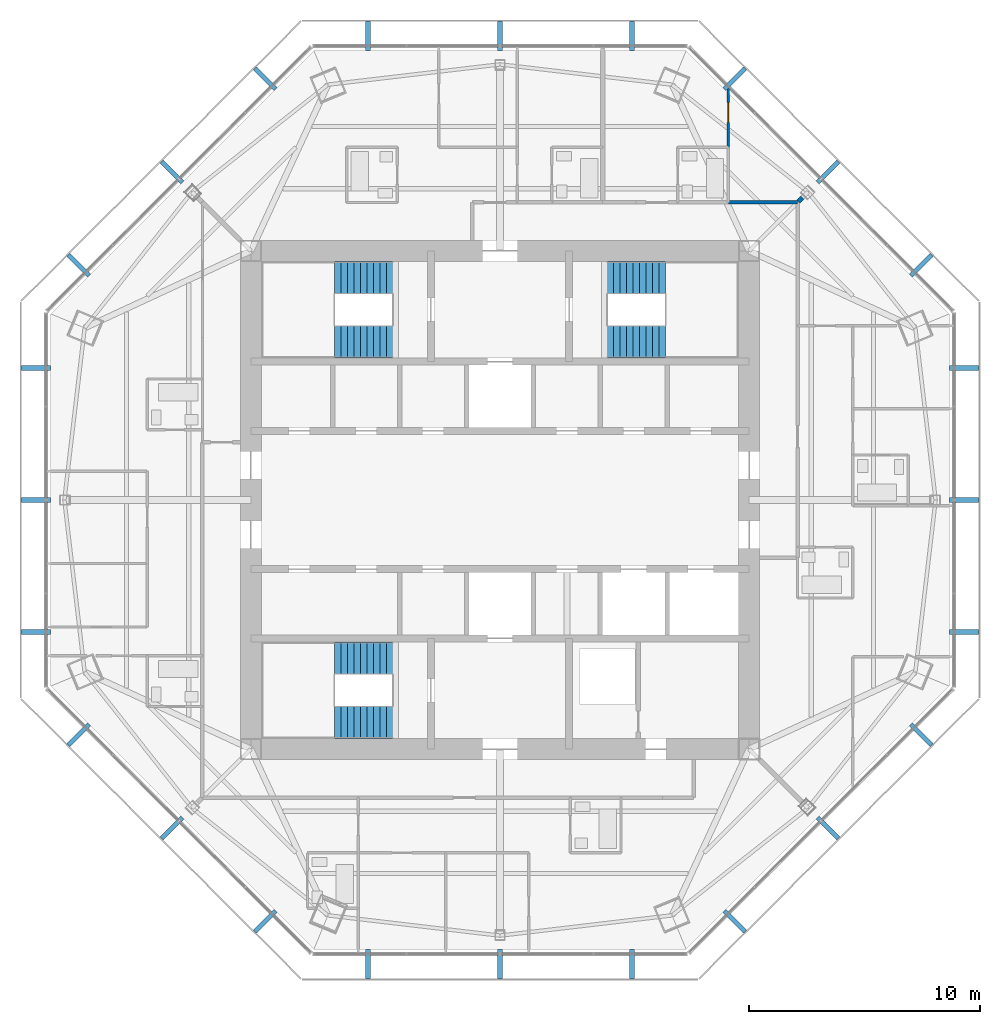
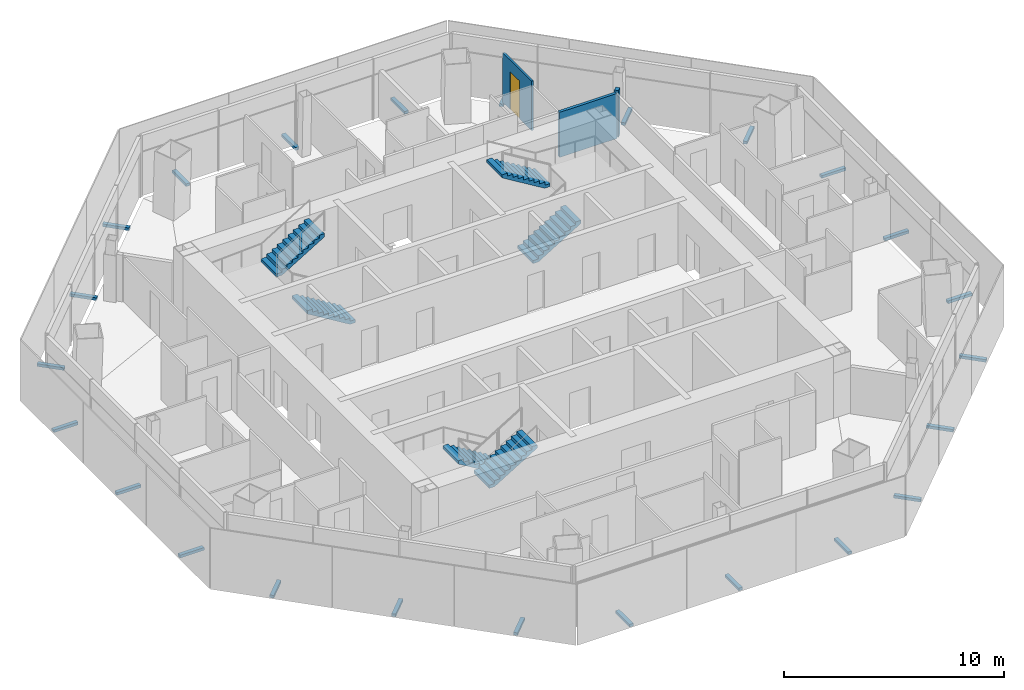
# One storey, part 12 of 15: 24 discrete accessories, 6 stair flights, 3 walls, 1 door, 1 opening, 3 elements without a shape of their own.
"""IFC4 building model written with IfcOpenShell, lengths in metres."""

from ifc_helpers import new_model, si_unit, direction, frame, frame_2d, origin, origin_2d, place, context, subcontext, project, spatial, polyline, rectangle, outline, extrude, source, transform, mapped, material, layer, layer_set, type_object, type_shapes, element, fill, aggregate, save


model = new_model("IFC4")

# Units and contexts
model_context = context("Model", 3, precision=1e-05, world=origin(), true_north=direction((0.0, 1.0)))
body_context = subcontext(model_context, "Body", "Model", "MODEL_VIEW")
ifc_project = project(units=[si_unit("LENGTHUNIT", "METRE"), si_unit("AREAUNIT", "SQUARE_METRE"), si_unit("VOLUMEUNIT", "CUBIC_METRE"), si_unit("PLANEANGLEUNIT", "RADIAN"), si_unit("MASSUNIT", "GRAM", prefix="KILO")], contexts=[model_context])

# Site, building, storey
site_placement = place(None, origin())
site = spatial("IfcSite", under=ifc_project, at=site_placement, CompositionType="ELEMENT")
building_placement = place(site_placement, origin())
building = spatial("IfcBuilding", under=site, at=building_placement, Name="Mashrafa Tower", CompositionType="ELEMENT")
storey_placement = place(building_placement, frame((0.0, 0.0, 294.60009765625)))
storey = spatial("IfcBuildingStorey", under=building, at=storey_placement, Name="L72", CompositionType="ELEMENT", Elevation=294.60009765625)

# Walls
ifc_material_1 = material(Name="Gypsum board on steel studs", Category="steel")
ifc_layer_1 = layer(ifc_material_1, 0.199951171875)
ifc_layer_set_1 = layer_set([ifc_layer_1], Name="Acoustic partition 200 1 hr")
wall_type_1 = type_object("IfcWallType", Name="Acoustic partition 200 1 hr", PredefinedType="PARTITIONING", material=ifc_layer_set_1)
wall_1_placement = place(storey_placement, frame((13.110107421875, 13.110107421875, 0.0), z_axis=(0.0, 0.0, 1.0), x_axis=(-0.707106781187, -0.707106781187, 0.0)))
element("IfcWall", 1, at=wall_1_placement, inside=storey, type_object=wall_type_1, Name="Acoustic wall L72-041", PredefinedType="PARTITIONING", context=body_context, shape_type="SweptSolid", body=[
    extrude(rectangle(XDim=0.244140625, YDim=0.199951171875, at=frame_2d((0.1220703125, 0.0))), origin(), (0.0, 0.0, 1.0), 2.590576171875),
])
ifc_material_2 = material(Name="Gypsum board on steel studs", Category="steel")
ifc_layer_2 = layer(ifc_material_2, 0.14990234375)
ifc_layer_set_2 = layer_set([ifc_layer_2], Name="Corridor partition 150 1 hr")
wall_type_2 = type_object("IfcWallType", Name="Corridor partition 150 1 hr", PredefinedType="PARTITIONING", material=ifc_layer_set_2)
wall_2_placement = place(storey_placement, frame((12.89990234375, 12.89990234375, 0.0), z_axis=(0.0, 0.0, 1.0), x_axis=(-1.0, 0.0, 0.0)))
element("IfcWall", 2, at=wall_2_placement, inside=storey, type_object=wall_type_2, Name="Corridor wall L72-005", PredefinedType="PARTITIONING", context=body_context, shape_type="SweptSolid", body=[
    extrude(rectangle(XDim=3.0009765625, YDim=0.14990234375, at=frame_2d((1.50048828125, 0.0))), origin(), (0.0, 0.0, 1.0), 2.49658203125),
])

# Wall, opening, door
ifc_material_3 = material(Name="Gypsum board on steel studs", Category="steel")
ifc_layer_3 = layer(ifc_material_3, 0.10009765625)
ifc_layer_set_3 = layer_set([ifc_layer_3], Name="Partition 100")
wall_type_3 = type_object("IfcWallType", Name="Partition 100", PredefinedType="PARTITIONING", material=ifc_layer_set_3)
wall_3_placement = place(storey_placement, frame((9.89990234375, 17.9111328125, 0.0), z_axis=(0.0, 0.0, 1.0), x_axis=(0.0, -1.0, 0.0)))
wall_3 = element("IfcWall", 3, at=wall_3_placement, inside=storey, type_object=wall_type_3, Name="Partition wall L72-047", PredefinedType="PARTITIONING", context=body_context, shape_type="SweptSolid", body=[
    extrude(rectangle(XDim=2.612060546875, YDim=0.10009765625, at=frame_2d((1.30615234375, 0.0))), origin(), (0.0, 0.0, 1.0), 2.740234375),
])
opening_placement = place(wall_3_placement, frame((0.684326171875, 0.0, 0.0)))
opening = element("IfcOpeningElement", 4, at=opening_placement, cuts=wall_3, Name="Opening 72.009", PredefinedType="OPENING", context=body_context, shape_type="SweptSolid", body=[
    extrude(rectangle(XDim=0.85009765625, YDim=2.10009765625, at=frame_2d((0.425048828125, 1.050048828125))), frame((0.0, 0.06005859375, 0.0), z_axis=(0.0, -1.0, 0.0), x_axis=(1.0, 0.0, 0.0)), (0.0, 0.0, 1.0), 0.1201171875),
])
ifc_material_4 = material(Name="Timber door", Category="wood")
door_type = type_object("IfcDoorType", Name="Bedroom door 850 x 2100", OperationType="USERDEFINED", PredefinedType="DOOR", material=ifc_material_4)
door_placement = place(opening_placement, origin())
door = element("IfcDoor", 5, at=door_placement, inside=storey, type_object=door_type, Name="Apartment 7202 Bedroom 1 door", OperationType="SINGLE_SWING_RIGHT", OverallHeight=2.10009765625, OverallWidth=0.85009765625, PredefinedType="DOOR", context=body_context, shape_type="SweptSolid", body=[
    extrude(rectangle(XDim=0.85009765625, YDim=2.10009765625, at=frame_2d((0.425048828125, 1.050048828125))), frame((0.0, 0.02490234375, 0.0), z_axis=(0.0, -1.0, 0.0), x_axis=(1.0, 0.0, 0.0)), (0.0, 0.0, 1.0), 0.050048828125),
])
fill(opening, door)

# Stair, stair flights
ifc_material_5 = material(Name="Exit stair 1400")
stair_type = type_object("IfcStairType", Name="Exit stair 1400", PredefinedType="HALF_TURN_STAIR", material=ifc_material_5)
stair_1_placement = place(storey_placement, origin())
stair_1 = element("IfcStair", 6, at=stair_1_placement, inside=storey, type_object=stair_type, Name="Stair S1 L72", PredefinedType="HALF_TURN_STAIR")
ifc_material_6 = material(Name="Concrete C32/40", Category="concrete")
stair_flight_type = type_object("IfcStairFlightType", Name="Stair flight 1400", PredefinedType="STRAIGHT", material=ifc_material_6)
stair_flight_1_placement = place(storey_placement, frame((-4.64990234375, 6.85009765625, 0.0), z_axis=(0.0, 0.0, 1.0), x_axis=(-1.0, 0.0, 0.0)))
stair_flight_1 = element("IfcStairFlight", 7, at=stair_flight_1_placement, type_object=stair_flight_type, Name="S1 flight 1", NumberOfRisers=10, NumberOfTreads=9, PredefinedType="STRAIGHT", RiserHeight=0.17, TreadLength=0.28, context=body_context, shape_type="SweptSolid", body=[
    extrude(outline(polyline([(0.0, 0.0), (0.0, 0.169921875), (0.280029296875, 0.169921875), (0.280029296875, 0.340087890625), (0.56005859375, 0.340087890625), (0.56005859375, 0.510009765625), (0.840087890625, 0.510009765625), (0.840087890625, 0.679931640625), (1.1201171875, 0.679931640625), (1.1201171875, 0.85009765625), (1.39990234375, 0.85009765625), (1.39990234375, 1.02001953125), (1.679931640625, 1.02001953125), (1.679931640625, 1.18994140625), (1.9599609375, 1.18994140625), (1.9599609375, 1.360107421875), (2.239990234375, 1.360107421875), (2.239990234375, 1.530029296875), (2.52001953125, 1.530029296875), (2.52001953125, 1.699951171875), (2.52001953125, 1.354736328125), (0.288818359375, 0.0), (0.0, 0.0)])), frame((0.0, 0.699951171875, 0.0), z_axis=(0.0, -1.0, 0.0), x_axis=(1.0, 0.0, 0.0)), (0.0, 0.0, 1.0), 1.39990234375),
])
stair_flight_2_placement = place(storey_placement, frame((-7.169921875, 9.64990234375, 1.699951171875), z_axis=(0.0, 0.0, 1.0), x_axis=(1.0, 0.0, 0.0)))
stair_flight_2 = element("IfcStairFlight", 8, at=stair_flight_2_placement, type_object=stair_flight_type, Name="S1 flight 2", NumberOfRisers=10, NumberOfTreads=9, PredefinedType="STRAIGHT", RiserHeight=0.17, TreadLength=0.28, context=body_context, shape_type="SweptSolid", body=[
    extrude(outline(polyline([(0.0, 0.0), (0.0, 0.169921875), (0.280029296875, 0.169921875), (0.280029296875, 0.340087890625), (0.56005859375, 0.340087890625), (0.56005859375, 0.510009765625), (0.840087890625, 0.510009765625), (0.840087890625, 0.679931640625), (1.1201171875, 0.679931640625), (1.1201171875, 0.85009765625), (1.39990234375, 0.85009765625), (1.39990234375, 1.02001953125), (1.679931640625, 1.02001953125), (1.679931640625, 1.18994140625), (1.9599609375, 1.18994140625), (1.9599609375, 1.360107421875), (2.239990234375, 1.360107421875), (2.239990234375, 1.530029296875), (2.52001953125, 1.530029296875), (2.52001953125, 1.699951171875), (2.52001953125, 1.354736328125), (0.288818359375, 0.0), (0.0, 0.0)])), frame((0.0, 0.699951171875, 0.0), z_axis=(0.0, -1.0, 0.0), x_axis=(1.0, 0.0, 0.0)), (0.0, 0.0, 1.0), 1.39990234375),
])
aggregate(stair_1, [stair_flight_1, stair_flight_2])

stair_2_placement = place(storey_placement, origin())
stair_2 = element("IfcStair", 9, at=stair_2_placement, inside=storey, type_object=stair_type, Name="Stair S2 L72", PredefinedType="HALF_TURN_STAIR")
stair_flight_3_placement = place(storey_placement, frame((4.64990234375, 6.85009765625, 0.0), z_axis=(0.0, 0.0, 1.0), x_axis=(1.0, 0.0, 0.0)))
stair_flight_3 = element("IfcStairFlight", 10, at=stair_flight_3_placement, type_object=stair_flight_type, Name="S2 flight 1", NumberOfRisers=10, NumberOfTreads=9, PredefinedType="STRAIGHT", RiserHeight=0.17, TreadLength=0.28, context=body_context, shape_type="SweptSolid", body=[
    extrude(outline(polyline([(0.0, 0.0), (0.0, 0.169921875), (0.280029296875, 0.169921875), (0.280029296875, 0.340087890625), (0.56005859375, 0.340087890625), (0.56005859375, 0.510009765625), (0.840087890625, 0.510009765625), (0.840087890625, 0.679931640625), (1.1201171875, 0.679931640625), (1.1201171875, 0.85009765625), (1.39990234375, 0.85009765625), (1.39990234375, 1.02001953125), (1.679931640625, 1.02001953125), (1.679931640625, 1.18994140625), (1.9599609375, 1.18994140625), (1.9599609375, 1.360107421875), (2.239990234375, 1.360107421875), (2.239990234375, 1.530029296875), (2.52001953125, 1.530029296875), (2.52001953125, 1.699951171875), (2.52001953125, 1.354736328125), (0.288818359375, 0.0), (0.0, 0.0)])), frame((0.0, 0.699951171875, 0.0), z_axis=(0.0, -1.0, 0.0), x_axis=(1.0, 0.0, 0.0)), (0.0, 0.0, 1.0), 1.39990234375),
])
stair_flight_4_placement = place(storey_placement, frame((7.169921875, 9.64990234375, 1.699951171875), z_axis=(0.0, 0.0, 1.0), x_axis=(-1.0, 0.0, 0.0)))
stair_flight_4 = element("IfcStairFlight", 11, at=stair_flight_4_placement, type_object=stair_flight_type, Name="S2 flight 2", NumberOfRisers=10, NumberOfTreads=9, PredefinedType="STRAIGHT", RiserHeight=0.17, TreadLength=0.28, context=body_context, shape_type="SweptSolid", body=[
    extrude(outline(polyline([(0.0, 0.0), (0.0, 0.169921875), (0.280029296875, 0.169921875), (0.280029296875, 0.340087890625), (0.56005859375, 0.340087890625), (0.56005859375, 0.510009765625), (0.840087890625, 0.510009765625), (0.840087890625, 0.679931640625), (1.1201171875, 0.679931640625), (1.1201171875, 0.85009765625), (1.39990234375, 0.85009765625), (1.39990234375, 1.02001953125), (1.679931640625, 1.02001953125), (1.679931640625, 1.18994140625), (1.9599609375, 1.18994140625), (1.9599609375, 1.360107421875), (2.239990234375, 1.360107421875), (2.239990234375, 1.530029296875), (2.52001953125, 1.530029296875), (2.52001953125, 1.699951171875), (2.52001953125, 1.354736328125), (0.288818359375, 0.0), (0.0, 0.0)])), frame((0.0, 0.699951171875, 0.0), z_axis=(0.0, -1.0, 0.0), x_axis=(1.0, 0.0, 0.0)), (0.0, 0.0, 1.0), 1.39990234375),
])
aggregate(stair_2, [stair_flight_3, stair_flight_4])

stair_3_placement = place(storey_placement, origin())
stair_3 = element("IfcStair", 12, at=stair_3_placement, inside=storey, type_object=stair_type, Name="Stair S3 L72", PredefinedType="HALF_TURN_STAIR")
stair_flight_5_placement = place(storey_placement, frame((-4.64990234375, -6.85009765625, 0.0), z_axis=(0.0, 0.0, 1.0), x_axis=(-1.0, 0.0, 0.0)))
stair_flight_5 = element("IfcStairFlight", 13, at=stair_flight_5_placement, type_object=stair_flight_type, Name="S3 flight 1", NumberOfRisers=10, NumberOfTreads=9, PredefinedType="STRAIGHT", RiserHeight=0.17, TreadLength=0.28, context=body_context, shape_type="SweptSolid", body=[
    extrude(outline(polyline([(0.0, 0.0), (0.0, 0.169921875), (0.280029296875, 0.169921875), (0.280029296875, 0.340087890625), (0.56005859375, 0.340087890625), (0.56005859375, 0.510009765625), (0.840087890625, 0.510009765625), (0.840087890625, 0.679931640625), (1.1201171875, 0.679931640625), (1.1201171875, 0.85009765625), (1.39990234375, 0.85009765625), (1.39990234375, 1.02001953125), (1.679931640625, 1.02001953125), (1.679931640625, 1.18994140625), (1.9599609375, 1.18994140625), (1.9599609375, 1.360107421875), (2.239990234375, 1.360107421875), (2.239990234375, 1.530029296875), (2.52001953125, 1.530029296875), (2.52001953125, 1.699951171875), (2.52001953125, 1.354736328125), (0.288818359375, 0.0), (0.0, 0.0)])), frame((0.0, 0.699951171875, 0.0), z_axis=(0.0, -1.0, 0.0), x_axis=(1.0, 0.0, 0.0)), (0.0, 0.0, 1.0), 1.39990234375),
])
stair_flight_6_placement = place(storey_placement, frame((-7.169921875, -9.64990234375, 1.699951171875), z_axis=(0.0, 0.0, 1.0), x_axis=(1.0, 0.0, 0.0)))
stair_flight_6 = element("IfcStairFlight", 14, at=stair_flight_6_placement, type_object=stair_flight_type, Name="S3 flight 2", NumberOfRisers=10, NumberOfTreads=9, PredefinedType="STRAIGHT", RiserHeight=0.17, TreadLength=0.28, context=body_context, shape_type="SweptSolid", body=[
    extrude(outline(polyline([(0.0, 0.0), (0.0, 0.169921875), (0.280029296875, 0.169921875), (0.280029296875, 0.340087890625), (0.56005859375, 0.340087890625), (0.56005859375, 0.510009765625), (0.840087890625, 0.510009765625), (0.840087890625, 0.679931640625), (1.1201171875, 0.679931640625), (1.1201171875, 0.85009765625), (1.39990234375, 0.85009765625), (1.39990234375, 1.02001953125), (1.679931640625, 1.02001953125), (1.679931640625, 1.18994140625), (1.9599609375, 1.18994140625), (1.9599609375, 1.360107421875), (2.239990234375, 1.360107421875), (2.239990234375, 1.530029296875), (2.52001953125, 1.530029296875), (2.52001953125, 1.699951171875), (2.52001953125, 1.354736328125), (0.288818359375, 0.0), (0.0, 0.0)])), frame((0.0, 0.699951171875, 0.0), z_axis=(0.0, -1.0, 0.0), x_axis=(1.0, 0.0, 0.0)), (0.0, 0.0, 1.0), 1.39990234375),
])
aggregate(stair_3, [stair_flight_5, stair_flight_6])

# Discrete accessories
ifc_material_7 = material(Name="Stainless steel screen bracket", Category="steel")
discrete_accessory_type = type_object("IfcDiscreteAccessoryType", Name="Screen support bracket 200 x 150", PredefinedType="BRACKET", material=ifc_material_7)
shared_shape = source(origin(), body_context, "Body", "SweptSolid", [
    extrude(rectangle(XDim=0.199951171875, YDim=1.27001953125, at=origin_2d()), origin(), (0.0, 0.0, 1.0), 0.14990234375),
])
type_shapes(discrete_accessory_type, [shared_shape])
for number, where, z_axis, x_axis, name in (
    (15, (20.115966796875, -5.7236328125, -0.150146484375), (0.0, 0.0, 1.0), (0.0, 1.0, 0.0), "Screen support bracket L72 east 1"),
    (16, (20.115966796875, 0.0, -0.150146484375), (0.0, 0.0, 1.0), (0.0, 1.0, 0.0), "Screen support bracket L72 east 2"),
    (17, (20.115966796875, 5.7236328125, -0.150146484375), (0.0, 0.0, 1.0), (0.0, 1.0, 0.0), "Screen support bracket L72 east 3"),
    (18, (18.271240234375, 10.177001953125, -0.150146484375), (0.0, 0.0, 1.0), (-0.707106781187, 0.707106781187, 0.0), "Screen support bracket L72 north-east 1"),
    (19, (14.22412109375, 14.22412109375, -0.150146484375), (0.0, 0.0, 1.0), (-0.707106781187, 0.707106781187, 0.0), "Screen support bracket L72 north-east 2"),
    (20, (10.177001953125, 18.271240234375, -0.150146484375), (0.0, 0.0, 1.0), (-0.707106781187, 0.707106781187, 0.0), "Screen support bracket L72 north-east 3"),
    (21, (5.7236328125, 20.115966796875, -0.150146484375), (0.0, 0.0, 1.0), (-1.0, 0.0, 0.0), "Screen support bracket L72 north 1"),
    (22, (0.0, 20.115966796875, -0.150146484375), (0.0, 0.0, 1.0), (-1.0, 0.0, 0.0), "Screen support bracket L72 north 2"),
    (23, (-5.7236328125, 20.115966796875, -0.150146484375), (0.0, 0.0, 1.0), (-1.0, 0.0, 0.0), "Screen support bracket L72 north 3"),
    (24, (-10.177001953125, 18.271240234375, -0.150146484375), (0.0, 0.0, 1.0), (-0.707106781187, -0.707106781187, 0.0), "Screen support bracket L72 north-west 1"),
    (25, (-14.22412109375, 14.22412109375, -0.150146484375), (0.0, 0.0, 1.0), (-0.707106781187, -0.707106781187, 0.0), "Screen support bracket L72 north-west 2"),
    (26, (-18.271240234375, 10.177001953125, -0.150146484375), (0.0, 0.0, 1.0), (-0.707106781187, -0.707106781187, 0.0), "Screen support bracket L72 north-west 3"),
    (27, (-20.115966796875, 5.7236328125, -0.150146484375), (0.0, 0.0, 1.0), (0.0, -1.0, 0.0), "Screen support bracket L72 west 1"),
    (28, (-20.115966796875, 0.0, -0.150146484375), (0.0, 0.0, 1.0), (0.0, -1.0, 0.0), "Screen support bracket L72 west 2"),
    (29, (-20.115966796875, -5.7236328125, -0.150146484375), (0.0, 0.0, 1.0), (0.0, -1.0, 0.0), "Screen support bracket L72 west 3"),
    (30, (-18.271240234375, -10.177001953125, -0.150146484375), (0.0, 0.0, 1.0), (0.707106781187, -0.707106781187, 0.0), "Screen support bracket L72 south-west 1"),
    (31, (-14.22412109375, -14.22412109375, -0.150146484375), (0.0, 0.0, 1.0), (0.707106781187, -0.707106781187, 0.0), "Screen support bracket L72 south-west 2"),
    (32, (-10.177001953125, -18.271240234375, -0.150146484375), (0.0, 0.0, 1.0), (0.707106781187, -0.707106781187, 0.0), "Screen support bracket L72 south-west 3"),
    (33, (-5.7236328125, -20.115966796875, -0.150146484375), (0.0, 0.0, 1.0), (1.0, 0.0, 0.0), "Screen support bracket L72 south 1"),
    (34, (0.0, -20.115966796875, -0.150146484375), (0.0, 0.0, 1.0), (1.0, 0.0, 0.0), "Screen support bracket L72 south 2"),
    (35, (5.7236328125, -20.115966796875, -0.150146484375), (0.0, 0.0, 1.0), (1.0, 0.0, 0.0), "Screen support bracket L72 south 3"),
    (36, (10.177001953125, -18.271240234375, -0.150146484375), (0.0, 0.0, 1.0), (0.707106781187, 0.707106781187, 0.0), "Screen support bracket L72 south-east 1"),
    (37, (14.22412109375, -14.22412109375, -0.150146484375), (0.0, 0.0, 1.0), (0.707106781187, 0.707106781187, 0.0), "Screen support bracket L72 south-east 2"),
    (38, (18.271240234375, -10.177001953125, -0.150146484375), (0.0, 0.0, 1.0), (0.707106781187, 0.707106781187, 0.0), "Screen support bracket L72 south-east 3"),
):
    element("IfcDiscreteAccessory", number, at=place(storey_placement, frame(where, z_axis=z_axis, x_axis=x_axis)), inside=storey, type_object=discrete_accessory_type, Name=name, PredefinedType="BRACKET", context=body_context, shape_type="MappedRepresentation", body=[
        mapped(shared_shape, transform((0.0, 0.0, 0.0))),
    ])

save(model, "model.ifc")
